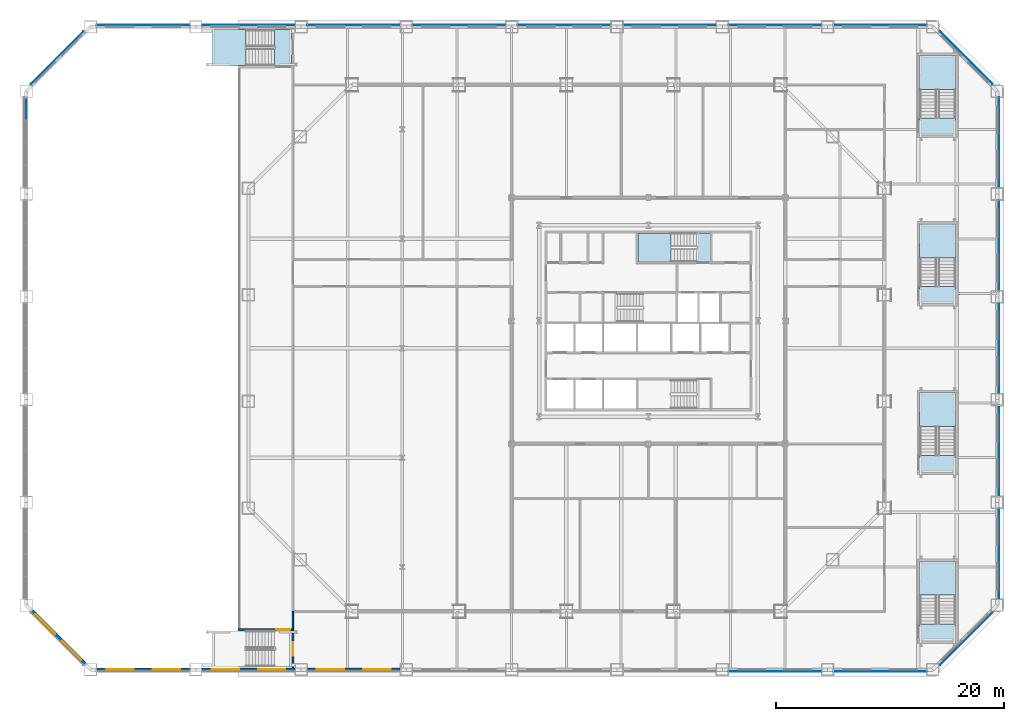
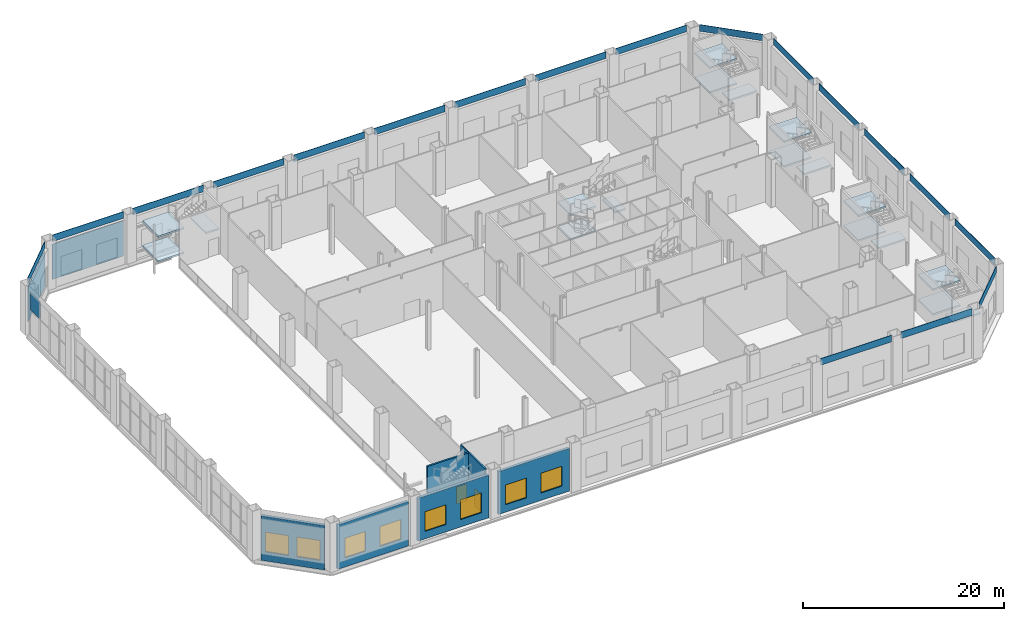
# One storey, part 15 of 31: 21 plates, 18 slabs, 8 windows, 7 walls, 2 doors, 10 openings, 7 elements without a shape of their own.
"""IFC4 building model written with IfcOpenShell, lengths in metres."""

from ifc_helpers import new_model, si_unit, direction, frame, frame_2d, origin, origin_2d, place, context, subcontext, project, spatial, polyline, rectangle, outline, extrude, material, layer, layer_set, type_object, element, fill, aggregate, save


model = new_model("IFC4")

# Units and contexts
model_context = context("Model", 3, precision=1e-05, world=origin(), true_north=direction((0.0, 1.0)))
body_context = subcontext(model_context, "Body", "Model", "MODEL_VIEW")
ifc_project = project(units=[si_unit("LENGTHUNIT", "METRE"), si_unit("AREAUNIT", "SQUARE_METRE"), si_unit("VOLUMEUNIT", "CUBIC_METRE"), si_unit("PLANEANGLEUNIT", "RADIAN"), si_unit("MASSUNIT", "GRAM", prefix="KILO")], contexts=[model_context])

# Site, building, storey
site_placement = place(None, origin())
site = spatial("IfcSite", under=ifc_project, at=site_placement, CompositionType="ELEMENT")
building_placement = place(site_placement, origin())
building = spatial("IfcBuilding", under=site, at=building_placement, Name="Cairn Pilgrim Tower", CompositionType="ELEMENT")
storey_placement = place(building_placement, frame((0.0, 0.0, 15.0)))
storey = spatial("IfcBuildingStorey", under=building, at=storey_placement, Name="L02", CompositionType="ELEMENT", Elevation=15.0)

# Plates
ifc_material_1 = material(Name="Bronze anodised aluminium", Category="aluminium")
ifc_layer_1 = layer(ifc_material_1, 0.050048828125)
ifc_layer_set_1 = layer_set([ifc_layer_1], Name="BRONZE FASCIA PANEL 50")
plate_type_1 = type_object("IfcPlateType", Name="BRONZE FASCIA PANEL 50", PredefinedType="SHEET", material=ifc_layer_set_1)
for number, where, z_axis, x_axis, name in (
    (1, (18.294677734375, -28.375, 5.2001953125), (0.0, 0.0, 1.0), (1.0, 0.0, 0.0), "FASCIA"),
    (2, (27.532470703125, -28.375, 5.2001953125), (0.0, 0.0, 1.0), (1.0, 0.0, 0.0), "FASCIA"),
):
    element("IfcPlate", number, at=place(storey_placement, frame(where, z_axis=z_axis, x_axis=x_axis)), inside=storey, type_object=plate_type_1, Name=name, PredefinedType="SHEET", context=body_context, shape_type="SweptSolid", body=[
        extrude(rectangle(XDim=8.137939453125, YDim=0.050048828125, at=origin_2d()), origin(), (0.0, 0.0, 1.0), 0.800048828125),
    ])
plate_1_placement = place(storey_placement, frame((35.099609375, -25.49951171875, 5.2001953125), z_axis=(0.0, 0.0, 1.0), x_axis=(0.707106781187, 0.707106781187, 0.0)))
element("IfcPlate", 3, at=plate_1_placement, inside=storey, type_object=plate_type_1, Name="FASCIA", PredefinedType="SHEET", context=body_context, shape_type="SweptSolid", body=[
    extrude(rectangle(XDim=6.50830078125, YDim=0.050048828125, at=origin_2d()), origin(), (0.0, 0.0, 1.0), 0.800048828125),
])
for number, where, z_axis, x_axis, name in (
    (4, (37.97509765625, -18.041259765625, 5.2001953125), (0.0, 0.0, 1.0), (0.0, 1.0, 0.0), "FASCIA"),
    (5, (37.97509765625, -9.0205078125, 5.2001953125), (0.0, 0.0, 1.0), (0.0, 1.0, 0.0), "FASCIA"),
    (6, (37.97509765625, 0.0, 5.2001953125), (0.0, 0.0, 1.0), (0.0, 1.0, 0.0), "FASCIA"),
    (7, (37.97509765625, 9.0205078125, 5.2001953125), (0.0, 0.0, 1.0), (0.0, 1.0, 0.0), "FASCIA"),
    (8, (37.97509765625, 18.041259765625, 5.2001953125), (0.0, 0.0, 1.0), (0.0, 1.0, 0.0), "FASCIA"),
):
    element("IfcPlate", number, at=place(storey_placement, frame(where, z_axis=z_axis, x_axis=x_axis)), inside=storey, type_object=plate_type_1, Name=name, PredefinedType="SHEET", context=body_context, shape_type="SweptSolid", body=[
        extrude(rectangle(XDim=7.920654296875, YDim=0.050048828125, at=origin_2d()), origin(), (0.0, 0.0, 1.0), 0.800048828125),
    ])
plate_2_placement = place(storey_placement, frame((35.099609375, 25.49951171875, 5.2001953125), z_axis=(0.0, 0.0, 1.0), x_axis=(-0.707106781187, 0.707106781187, 0.0)))
element("IfcPlate", 9, at=plate_2_placement, inside=storey, type_object=plate_type_1, Name="FASCIA", PredefinedType="SHEET", context=body_context, shape_type="SweptSolid", body=[
    extrude(rectangle(XDim=6.50830078125, YDim=0.050048828125, at=origin_2d()), origin(), (0.0, 0.0, 1.0), 0.800048828125),
])
for number, where, z_axis, x_axis, name in (
    (10, (27.532470703125, 28.375, 5.2001953125), (0.0, 0.0, 1.0), (-1.0, 0.0, 0.0), "FASCIA"),
    (11, (18.294677734375, 28.375, 5.2001953125), (0.0, 0.0, 1.0), (-1.0, 0.0, 0.0), "FASCIA"),
    (12, (9.056884765625, 28.375, 5.2001953125), (0.0, 0.0, 1.0), (-1.0, 0.0, 0.0), "FASCIA"),
    (13, (-0.18115234375, 28.375, 5.2001953125), (0.0, 0.0, 1.0), (-1.0, 0.0, 0.0), "FASCIA"),
    (14, (-9.4189453125, 28.375, 5.2001953125), (0.0, 0.0, 1.0), (-1.0, 0.0, 0.0), "FASCIA"),
    (15, (-18.65673828125, 28.375, 5.2001953125), (0.0, 0.0, 1.0), (-1.0, 0.0, 0.0), "FASCIA"),
    (16, (-27.894775390625, 28.375, 5.2001953125), (0.0, 0.0, 1.0), (-1.0, 0.0, 0.0), "FASCIA"),
    (17, (-37.132568359375, 28.375, 5.2001953125), (0.0, 0.0, 1.0), (-1.0, 0.0, 0.0), "FASCIA"),
):
    element("IfcPlate", number, at=place(storey_placement, frame(where, z_axis=z_axis, x_axis=x_axis)), inside=storey, type_object=plate_type_1, Name=name, PredefinedType="SHEET", context=body_context, shape_type="SweptSolid", body=[
        extrude(rectangle(XDim=8.137939453125, YDim=0.050048828125, at=origin_2d()), origin(), (0.0, 0.0, 1.0), 0.800048828125),
    ])
plate_3_placement = place(storey_placement, frame((-44.699462890625, 25.49951171875, 5.2001953125), z_axis=(0.0, 0.0, 1.0), x_axis=(-0.707106781187, -0.707106781187, 0.0)))
element("IfcPlate", 18, at=plate_3_placement, inside=storey, type_object=plate_type_1, Name="FASCIA", PredefinedType="SHEET", context=body_context, shape_type="SweptSolid", body=[
    extrude(rectangle(XDim=6.50830078125, YDim=0.050048828125, at=origin_2d()), origin(), (0.0, 0.0, 1.0), 0.800048828125),
])
ifc_material_2 = material(Name="Perforated bronze anodised aluminium", Category="aluminium")
ifc_layer_2 = layer(ifc_material_2, 0.050048828125)
ifc_layer_set_2 = layer_set([ifc_layer_2], Name="COBOGO SCREEN 50 BRONZE")
plate_type_2 = type_object("IfcPlateType", Name="COBOGO SCREEN 50 BRONZE", PredefinedType="SHEET", material=ifc_layer_set_2)
plate_4_placement = place(storey_placement, frame((-37.132568359375, 28.375, 0.60009765625), z_axis=(0.0, 0.0, 1.0), x_axis=(-1.0, 0.0, 0.0)))
element("IfcPlate", 19, at=plate_4_placement, inside=storey, type_object=plate_type_2, Name="SCREEN", PredefinedType="SHEET", context=body_context, shape_type="SweptSolid", body=[
    extrude(rectangle(XDim=8.137939453125, YDim=0.050048828125, at=origin_2d()), origin(), (0.0, 0.0, 1.0), 4.300048828125),
])
plate_5_placement = place(storey_placement, frame((-44.699462890625, 25.49951171875, 0.60009765625), z_axis=(0.0, 0.0, 1.0), x_axis=(-0.707106781187, -0.707106781187, 0.0)))
element("IfcPlate", 20, at=plate_5_placement, inside=storey, type_object=plate_type_2, Name="SCREEN", PredefinedType="SHEET", context=body_context, shape_type="SweptSolid", body=[
    extrude(rectangle(XDim=6.50830078125, YDim=0.050048828125, at=origin_2d()), origin(), (0.0, 0.0, 1.0), 4.300048828125),
])

# Curtain wall, plate
ifc_material_3 = material(Name="Bronze anodised aluminium with Tinted laminated low-E glass", Category="aluminium")
curtain_wall_type = type_object("IfcCurtainWallType", Name="HALL CW", PredefinedType="NOTDEFINED", material=ifc_material_3)
curtain_wall_placement = place(storey_placement, origin())
curtain_wall = element("IfcCurtainWall", 21, at=curtain_wall_placement, inside=storey, type_object=curtain_wall_type, Name="HALL CW L02 W1-W2", PredefinedType="NOTDEFINED")
ifc_material_4 = material(Name="Tinted laminated low-E glass", Category="glass")
ifc_layer_3 = layer(ifc_material_4, 0.028076171875)
ifc_layer_set_3 = layer_set([ifc_layer_3], Name="HALL GLASS PANEL 1920x2020")
plate_type_3 = type_object("IfcPlateType", Name="HALL GLASS PANEL 1920x2020", PredefinedType="CURTAIN_PANEL", material=ifc_layer_set_3)
plate_6_placement = place(storey_placement, frame((-47.39990234375, 20.996337890625, 3.02978515625), z_axis=(0.0, 0.0, 1.0), x_axis=(0.0, -1.0, 0.0)))
plate_6 = element("IfcPlate", 22, at=plate_6_placement, type_object=plate_type_3, Name="HCW-W1-W2 panel 1.2", PredefinedType="CURTAIN_PANEL", context=body_context, shape_type="SweptSolid", body=[
    extrude(rectangle(XDim=1.89013671875, YDim=0.028076171875, at=origin_2d()), origin(), (0.0, 0.0, 1.0), 2.110107421875),
])
aggregate(curtain_wall, [plate_6])

# Stair, slabs
ifc_material_5 = material(Name="Concrete C35/45", Category="concrete")
stair_type_1 = type_object("IfcStairType", Name="PODIUM EXIT STAIR 1500", PredefinedType="HALF_TURN_STAIR", material=ifc_material_5)
stair_1_placement = place(storey_placement, origin())
stair_1 = element("IfcStair", 23, at=stair_1_placement, inside=storey, type_object=stair_type_1, Name="L02 Exit Stair Hn", PredefinedType="HALF_TURN_STAIR")
ifc_layer_4 = layer(ifc_material_5, 0.199951171875)
ifc_layer_set_4 = layer_set([ifc_layer_4], Name="PODIUM STAIR LANDING 200")
slab_type_1 = type_object("IfcSlabType", Name="PODIUM STAIR LANDING 200", PredefinedType="LANDING", material=ifc_layer_set_4)
slab_1_placement = place(storey_placement, frame((0.0, 0.0, 1.300048828125)))
slab_1 = element("IfcSlab", 24, at=slab_1_placement, type_object=slab_type_1, Name="ST-HN landing 1", PredefinedType="LANDING", context=body_context, shape_type="SweptSolid", body=[
    extrude(outline(polyline([(-28.1201171875, 27.949951171875), (-31.10009765625, 27.949951171875), (-31.10009765625, 24.800048828125), (-28.1201171875, 24.800048828125), (-28.1201171875, 27.949951171875)])), origin(), (0.0, 0.0, 1.0), 0.199951171875),
])
slab_2_placement = place(storey_placement, frame((0.0, 0.0, 2.800048828125)))
slab_2 = element("IfcSlab", 25, at=slab_2_placement, type_object=slab_type_1, Name="ST-HN landing 2", PredefinedType="LANDING", context=body_context, shape_type="SweptSolid", body=[
    extrude(outline(polyline([(-24.10009765625, 27.949951171875), (-25.60009765625, 27.949951171875), (-25.60009765625, 24.800048828125), (-24.10009765625, 24.800048828125), (-24.10009765625, 27.949951171875)])), origin(), (0.0, 0.0, 1.0), 0.199951171875),
])
slab_3_placement = place(storey_placement, frame((0.0, 0.0, 4.300048828125)))
slab_3 = element("IfcSlab", 26, at=slab_3_placement, type_object=slab_type_1, Name="ST-HN landing 3", PredefinedType="LANDING", context=body_context, shape_type="SweptSolid", body=[
    extrude(outline(polyline([(-28.1201171875, 27.949951171875), (-31.10009765625, 27.949951171875), (-31.10009765625, 24.800048828125), (-28.1201171875, 24.800048828125), (-28.1201171875, 27.949951171875)])), origin(), (0.0, 0.0, 1.0), 0.199951171875),
])
aggregate(stair_1, [slab_1, slab_2, slab_3])

stair_2_placement = place(storey_placement, origin())
stair_2 = element("IfcStair", 27, at=stair_2_placement, inside=storey, type_object=stair_type_1, Name="L02 Exit Stair Es1", PredefinedType="HALF_TURN_STAIR")
slab_4_placement = place(storey_placement, frame((0.0, 0.0, 1.300048828125)))
slab_4 = element("IfcSlab", 28, at=slab_4_placement, type_object=slab_type_1, Name="ST-ES1 landing 1", PredefinedType="LANDING", context=body_context, shape_type="SweptSolid", body=[
    extrude(outline(polyline([(34.14990234375, -21.679931640625), (34.14990234375, -18.699951171875), (31.0, -18.699951171875), (31.0, -21.679931640625), (34.14990234375, -21.679931640625)])), origin(), (0.0, 0.0, 1.0), 0.199951171875),
])
slab_5_placement = place(storey_placement, frame((0.0, 0.0, 2.800048828125)))
slab_5 = element("IfcSlab", 29, at=slab_5_placement, type_object=slab_type_1, Name="ST-ES1 landing 2", PredefinedType="LANDING", context=body_context, shape_type="SweptSolid", body=[
    extrude(outline(polyline([(34.14990234375, -25.699951171875), (34.14990234375, -24.199951171875), (31.0, -24.199951171875), (31.0, -25.699951171875), (34.14990234375, -25.699951171875)])), origin(), (0.0, 0.0, 1.0), 0.199951171875),
])
slab_6_placement = place(storey_placement, frame((0.0, 0.0, 4.300048828125)))
slab_6 = element("IfcSlab", 30, at=slab_6_placement, type_object=slab_type_1, Name="ST-ES1 landing 3", PredefinedType="LANDING", context=body_context, shape_type="SweptSolid", body=[
    extrude(outline(polyline([(34.14990234375, -21.679931640625), (34.14990234375, -18.699951171875), (31.0, -18.699951171875), (31.0, -21.679931640625), (34.14990234375, -21.679931640625)])), origin(), (0.0, 0.0, 1.0), 0.199951171875),
])
aggregate(stair_2, [slab_4, slab_5, slab_6])

stair_3_placement = place(storey_placement, origin())
stair_3 = element("IfcStair", 31, at=stair_3_placement, inside=storey, type_object=stair_type_1, Name="L02 Exit Stair Es2", PredefinedType="HALF_TURN_STAIR")
slab_7_placement = place(storey_placement, frame((0.0, 0.0, 1.300048828125)))
slab_7 = element("IfcSlab", 32, at=slab_7_placement, type_object=slab_type_1, Name="ST-ES2 landing 1", PredefinedType="LANDING", context=body_context, shape_type="SweptSolid", body=[
    extrude(outline(polyline([(34.14990234375, -6.8798828125), (34.14990234375, -3.89990234375), (31.0, -3.89990234375), (31.0, -6.8798828125), (34.14990234375, -6.8798828125)])), origin(), (0.0, 0.0, 1.0), 0.199951171875),
])
slab_8_placement = place(storey_placement, frame((0.0, 0.0, 2.800048828125)))
slab_8 = element("IfcSlab", 33, at=slab_8_placement, type_object=slab_type_1, Name="ST-ES2 landing 2", PredefinedType="LANDING", context=body_context, shape_type="SweptSolid", body=[
    extrude(outline(polyline([(34.14990234375, -10.89990234375), (34.14990234375, -9.39990234375), (31.0, -9.39990234375), (31.0, -10.89990234375), (34.14990234375, -10.89990234375)])), origin(), (0.0, 0.0, 1.0), 0.199951171875),
])
slab_9_placement = place(storey_placement, frame((0.0, 0.0, 4.300048828125)))
slab_9 = element("IfcSlab", 34, at=slab_9_placement, type_object=slab_type_1, Name="ST-ES2 landing 3", PredefinedType="LANDING", context=body_context, shape_type="SweptSolid", body=[
    extrude(outline(polyline([(34.14990234375, -6.8798828125), (34.14990234375, -3.89990234375), (31.0, -3.89990234375), (31.0, -6.8798828125), (34.14990234375, -6.8798828125)])), origin(), (0.0, 0.0, 1.0), 0.199951171875),
])
aggregate(stair_3, [slab_7, slab_8, slab_9])

stair_4_placement = place(storey_placement, origin())
stair_4 = element("IfcStair", 35, at=stair_4_placement, inside=storey, type_object=stair_type_1, Name="L02 Exit Stair Es3", PredefinedType="HALF_TURN_STAIR")
slab_10_placement = place(storey_placement, frame((0.0, 0.0, 1.300048828125)))
slab_10 = element("IfcSlab", 36, at=slab_10_placement, type_object=slab_type_1, Name="ST-ES3 landing 1", PredefinedType="LANDING", context=body_context, shape_type="SweptSolid", body=[
    extrude(outline(polyline([(34.14990234375, 7.919921875), (34.14990234375, 10.89990234375), (31.0, 10.89990234375), (31.0, 7.919921875), (34.14990234375, 7.919921875)])), origin(), (0.0, 0.0, 1.0), 0.199951171875),
])
slab_11_placement = place(storey_placement, frame((0.0, 0.0, 2.800048828125)))
slab_11 = element("IfcSlab", 37, at=slab_11_placement, type_object=slab_type_1, Name="ST-ES3 landing 2", PredefinedType="LANDING", context=body_context, shape_type="SweptSolid", body=[
    extrude(outline(polyline([(34.14990234375, 3.89990234375), (34.14990234375, 5.39990234375), (31.0, 5.39990234375), (31.0, 3.89990234375), (34.14990234375, 3.89990234375)])), origin(), (0.0, 0.0, 1.0), 0.199951171875),
])
slab_12_placement = place(storey_placement, frame((0.0, 0.0, 4.300048828125)))
slab_12 = element("IfcSlab", 38, at=slab_12_placement, type_object=slab_type_1, Name="ST-ES3 landing 3", PredefinedType="LANDING", context=body_context, shape_type="SweptSolid", body=[
    extrude(outline(polyline([(34.14990234375, 7.919921875), (34.14990234375, 10.89990234375), (31.0, 10.89990234375), (31.0, 7.919921875), (34.14990234375, 7.919921875)])), origin(), (0.0, 0.0, 1.0), 0.199951171875),
])
aggregate(stair_4, [slab_10, slab_11, slab_12])

stair_5_placement = place(storey_placement, origin())
stair_5 = element("IfcStair", 39, at=stair_5_placement, inside=storey, type_object=stair_type_1, Name="L02 Exit Stair Es4", PredefinedType="HALF_TURN_STAIR")
slab_13_placement = place(storey_placement, frame((0.0, 0.0, 1.300048828125)))
slab_13 = element("IfcSlab", 40, at=slab_13_placement, type_object=slab_type_1, Name="ST-ES4 landing 1", PredefinedType="LANDING", context=body_context, shape_type="SweptSolid", body=[
    extrude(outline(polyline([(34.14990234375, 22.719970703125), (34.14990234375, 25.699951171875), (31.0, 25.699951171875), (31.0, 22.719970703125), (34.14990234375, 22.719970703125)])), origin(), (0.0, 0.0, 1.0), 0.199951171875),
])
slab_14_placement = place(storey_placement, frame((0.0, 0.0, 2.800048828125)))
slab_14 = element("IfcSlab", 41, at=slab_14_placement, type_object=slab_type_1, Name="ST-ES4 landing 2", PredefinedType="LANDING", context=body_context, shape_type="SweptSolid", body=[
    extrude(outline(polyline([(34.14990234375, 18.699951171875), (34.14990234375, 20.199951171875), (31.0, 20.199951171875), (31.0, 18.699951171875), (34.14990234375, 18.699951171875)])), origin(), (0.0, 0.0, 1.0), 0.199951171875),
])
slab_15_placement = place(storey_placement, frame((0.0, 0.0, 4.300048828125)))
slab_15 = element("IfcSlab", 42, at=slab_15_placement, type_object=slab_type_1, Name="ST-ES4 landing 3", PredefinedType="LANDING", context=body_context, shape_type="SweptSolid", body=[
    extrude(outline(polyline([(34.14990234375, 22.719970703125), (34.14990234375, 25.699951171875), (31.0, 25.699951171875), (31.0, 22.719970703125), (34.14990234375, 22.719970703125)])), origin(), (0.0, 0.0, 1.0), 0.199951171875),
])
aggregate(stair_5, [slab_13, slab_14, slab_15])

ifc_material_6 = material(Name="Concrete C32/40", Category="concrete")
stair_type_2 = type_object("IfcStairType", Name="EXIT STAIR 1200", PredefinedType="HALF_TURN_STAIR", material=ifc_material_6)
stair_6_placement = place(storey_placement, origin())
stair_6 = element("IfcStair", 43, at=stair_6_placement, inside=storey, type_object=stair_type_2, Name="L02 Exit Stair C", PredefinedType="HALF_TURN_STAIR")
ifc_layer_5 = layer(ifc_material_6, 0.199951171875)
ifc_layer_set_5 = layer_set([ifc_layer_5], Name="STAIR LANDING 200")
slab_type_2 = type_object("IfcSlabType", Name="STAIR LANDING 200", PredefinedType="LANDING", material=ifc_layer_set_5)
slab_16_placement = place(storey_placement, frame((0.0, 0.0, 1.300048828125)))
slab_16 = element("IfcSlab", 44, at=slab_16_placement, type_object=slab_type_2, Name="ST-C landing 1", PredefinedType="LANDING", context=body_context, shape_type="SweptSolid", body=[
    extrude(outline(polyline([(9.18505859375, 10.10009765625), (6.27490234375, 10.10009765625), (6.27490234375, 7.574951171875), (9.18505859375, 7.574951171875), (9.18505859375, 10.10009765625)])), origin(), (0.0, 0.0, 1.0), 0.199951171875),
])
slab_17_placement = place(storey_placement, frame((0.0, 0.0, 2.800048828125)))
slab_17 = element("IfcSlab", 45, at=slab_17_placement, type_object=slab_type_2, Name="ST-C landing 2", PredefinedType="LANDING", context=body_context, shape_type="SweptSolid", body=[
    extrude(outline(polyline([(12.625, 10.10009765625), (11.425048828125, 10.10009765625), (11.425048828125, 7.574951171875), (12.625, 7.574951171875), (12.625, 10.10009765625)])), origin(), (0.0, 0.0, 1.0), 0.199951171875),
])
slab_18_placement = place(storey_placement, frame((0.0, 0.0, 4.300048828125)))
slab_18 = element("IfcSlab", 46, at=slab_18_placement, type_object=slab_type_2, Name="ST-C landing 3", PredefinedType="LANDING", context=body_context, shape_type="SweptSolid", body=[
    extrude(outline(polyline([(9.18505859375, 10.10009765625), (6.27490234375, 10.10009765625), (6.27490234375, 7.574951171875), (9.18505859375, 7.574951171875), (9.18505859375, 10.10009765625)])), origin(), (0.0, 0.0, 1.0), 0.199951171875),
])
aggregate(stair_6, [slab_16, slab_17, slab_18])

# Wall
ifc_material_7 = material(Name="Gypsum partition")
ifc_layer_6 = layer(ifc_material_7, 0.125)
ifc_layer_set_6 = layer_set([ifc_layer_6], Name="PARTITION 125 DRYWALL EI 60")
wall_type_1 = type_object("IfcWallType", Name="PARTITION 125 DRYWALL EI 60", PredefinedType="PARTITIONING", material=ifc_layer_set_6)
wall_1_placement = place(storey_placement, frame((-24.0, -24.699951171875, 0.0), z_axis=(0.0, 0.0, 1.0), x_axis=(0.0, 1.0, 0.0)))
element("IfcWall", 47, at=wall_1_placement, inside=storey, type_object=wall_type_1, Name="PARTITION W006", PredefinedType="PARTITIONING", context=body_context, shape_type="SweptSolid", body=[
    extrude(rectangle(XDim=1.599853515625, YDim=0.125, at=frame_2d((0.7998046875, 0.0))), origin(), (0.0, 0.0, 1.0), 5.800048828125),
])

# Wall, opening, door
ifc_layer_7 = layer(ifc_material_5, 0.199951171875)
ifc_layer_set_7 = layer_set([ifc_layer_7], Name="PODIUM STAIR WALL 200 EI 120")
wall_type_2 = type_object("IfcWallType", Name="PODIUM STAIR WALL 200 EI 120", PredefinedType="SOLIDWALL", material=ifc_layer_set_7)
wall_2_placement = place(storey_placement, frame((-24.0, -28.050048828125, 0.0), z_axis=(0.0, 0.0, 1.0), x_axis=(0.0, 1.0, 0.0)))
wall_2 = element("IfcWall", 48, at=wall_2_placement, inside=storey, type_object=wall_type_2, Name="STAIR SHAFT WALL W001", PredefinedType="SOLIDWALL", context=body_context, shape_type="SweptSolid", body=[
    extrude(rectangle(XDim=3.35009765625, YDim=0.199951171875, at=frame_2d((1.675048828125, 0.0))), origin(), (0.0, 0.0, 1.0), 5.800048828125),
])
opening_1_placement = place(wall_2_placement, frame((1.050048828125, 0.0, 0.0)))
opening_1 = element("IfcOpeningElement", 49, at=opening_1_placement, cuts=wall_2, Name="Opening 0224", PredefinedType="OPENING", context=body_context, shape_type="SweptSolid", body=[
    extrude(rectangle(XDim=1.199951171875, YDim=2.10009765625, at=frame_2d((0.60009765625, 1.050048828125))), frame((0.0, 0.10986328125, 0.0), z_axis=(0.0, -1.0, 0.0), x_axis=(1.0, 0.0, 0.0)), (0.0, 0.0, 1.0), 0.219970703125),
])
ifc_material_8 = material(Name="Steel-faced fire door leaf", Category="steel")
door_type = type_object("IfcDoorType", Name="FIRE DOOR 1200x2100 FD60S", OperationType="NOTDEFINED", PredefinedType="DOOR", material=ifc_material_8)
door_1_placement = place(opening_1_placement, origin())
door_1 = element("IfcDoor", 50, at=door_1_placement, inside=storey, type_object=door_type, Name="DOOR 0224", OperationType="SINGLE_SWING_LEFT", OverallHeight=2.10009765625, OverallWidth=1.199951171875, PredefinedType="DOOR", context=body_context, shape_type="SweptSolid", body=[
    extrude(rectangle(XDim=1.199951171875, YDim=2.10009765625, at=frame_2d((0.60009765625, 1.050048828125))), frame((0.0, 0.02490234375, 0.0), z_axis=(0.0, -1.0, 0.0), x_axis=(1.0, 0.0, 0.0)), (0.0, 0.0, 1.0), 0.050048828125),
])
fill(opening_1, door_1)

wall_3_placement = place(storey_placement, frame((-28.800048828125, -24.699951171875, 0.0), z_axis=(0.0, 0.0, 1.0), x_axis=(1.0, 0.0, 0.0)))
wall_3 = element("IfcWall", 51, at=wall_3_placement, inside=storey, type_object=wall_type_2, Name="STAIR SHAFT WALL W005", PredefinedType="SOLIDWALL", context=body_context, shape_type="SweptSolid", body=[
    extrude(rectangle(XDim=4.737548828125, YDim=0.199951171875, at=frame_2d((2.36865234375, 0.0))), origin(), (0.0, 0.0, 1.0), 5.800048828125),
])
opening_2_placement = place(wall_3_placement, frame((3.35009765625, 0.0, 0.0)))
opening_2 = element("IfcOpeningElement", 52, at=opening_2_placement, cuts=wall_3, Name="Opening 0223", PredefinedType="OPENING", context=body_context, shape_type="SweptSolid", body=[
    extrude(rectangle(XDim=1.199951171875, YDim=2.10009765625, at=frame_2d((0.60009765625, 1.050048828125))), frame((0.0, 0.10986328125, 0.0), z_axis=(0.0, -1.0, 0.0), x_axis=(1.0, 0.0, 0.0)), (0.0, 0.0, 1.0), 0.219970703125),
])
door_2_placement = place(opening_2_placement, frame((1.199951171875, 0.0, 0.0), z_axis=(0.0, 0.0, 1.0), x_axis=(-1.0, 0.0, 0.0)))
door_2 = element("IfcDoor", 53, at=door_2_placement, inside=storey, type_object=door_type, Name="DOOR 0223", OperationType="SINGLE_SWING_RIGHT", OverallHeight=2.10009765625, OverallWidth=1.199951171875, PredefinedType="DOOR", context=body_context, shape_type="SweptSolid", body=[
    extrude(rectangle(XDim=1.199951171875, YDim=2.10009765625, at=frame_2d((0.60009765625, 1.050048828125))), frame((0.0, 0.02490234375, 0.0), z_axis=(0.0, -1.0, 0.0), x_axis=(1.0, 0.0, 0.0)), (0.0, 0.0, 1.0), 0.050048828125),
])
fill(opening_2, door_2)

# Wall, openings, windows
ifc_material_9 = material(Name="Concrete C35/45 backup wall with bronze aluminium cladding", Category="concrete")
ifc_layer_8 = layer(ifc_material_9, 0.300048828125)
ifc_layer_set_8 = layer_set([ifc_layer_8], Name="PODIUM WALL 300 BRONZE-CLAD")
wall_type_3 = type_object("IfcWallType", Name="PODIUM WALL 300 BRONZE-CLAD", PredefinedType="SOLIDWALL", material=ifc_layer_set_8)
wall_4_placement = place(storey_placement, frame((-41.201416015625, -28.199951171875, -0.199951171875), z_axis=(0.0, 0.0, 1.0), x_axis=(1.0, 0.0, 0.0)))
wall_4 = element("IfcWall", 54, at=wall_4_placement, inside=storey, type_object=wall_type_3, Name="PODIUM EXTERNAL WALL S1-S2", PredefinedType="SOLIDWALL", context=body_context, shape_type="SweptSolid", body=[
    extrude(rectangle(XDim=8.1376953125, YDim=0.300048828125, at=frame_2d((4.06884765625, 0.0))), origin(), (0.0, 0.0, 1.0), 5.39990234375),
])
opening_3_placement = place(wall_4_placement, frame((0.83447265625, 0.0, 1.10009765625)))
opening_3 = element("IfcOpeningElement", 55, at=opening_3_placement, cuts=wall_4, Name="Opening PW24", PredefinedType="OPENING", context=body_context, shape_type="SweptSolid", body=[
    extrude(rectangle(XDim=2.39990234375, YDim=2.39990234375, at=frame_2d((1.199951171875, 1.199951171875))), frame((0.0, 0.16015625, 0.0), z_axis=(0.0, -1.0, 0.0), x_axis=(1.0, 0.0, 0.0)), (0.0, 0.0, 1.0), 0.320068359375),
])
opening_4_placement = place(wall_4_placement, frame((4.9033203125, 0.0, 1.10009765625)))
opening_4 = element("IfcOpeningElement", 56, at=opening_4_placement, cuts=wall_4, Name="Opening PW24", PredefinedType="OPENING", context=body_context, shape_type="SweptSolid", body=[
    extrude(rectangle(XDim=2.39990234375, YDim=2.39990234375, at=frame_2d((1.199951171875, 1.199951171875))), frame((0.0, 0.16015625, 0.0), z_axis=(0.0, -1.0, 0.0), x_axis=(1.0, 0.0, 0.0)), (0.0, 0.0, 1.0), 0.320068359375),
])
ifc_material_10 = material(Name="Bronze anodised aluminium frame with tinted low-E glass", Category="aluminium")
window_type = type_object("IfcWindowType", Name="PODIUM FIXED WINDOW 2400x2400", PartitioningType="SINGLE_PANEL", PredefinedType="WINDOW", material=ifc_material_10)
window_1_placement = place(opening_3_placement, origin())
window_1 = element("IfcWindow", 57, at=window_1_placement, inside=storey, type_object=window_type, Name="PODIUM WINDOW", OverallHeight=2.39990234375, OverallWidth=2.39990234375, PartitioningType="SINGLE_PANEL", PredefinedType="WINDOW", context=body_context, shape_type="SweptSolid", body=[
    extrude(rectangle(XDim=2.39990234375, YDim=2.39990234375, at=frame_2d((1.199951171875, 1.199951171875))), frame((0.0, 0.030029296875, 0.0), z_axis=(0.0, -1.0, 0.0), x_axis=(1.0, 0.0, 0.0)), (0.0, 0.0, 1.0), 0.06005859375),
])
fill(opening_3, window_1)
window_2_placement = place(opening_4_placement, origin())
window_2 = element("IfcWindow", 58, at=window_2_placement, inside=storey, type_object=window_type, Name="PODIUM WINDOW", OverallHeight=2.39990234375, OverallWidth=2.39990234375, PartitioningType="SINGLE_PANEL", PredefinedType="WINDOW", context=body_context, shape_type="SweptSolid", body=[
    extrude(rectangle(XDim=2.39990234375, YDim=2.39990234375, at=frame_2d((1.199951171875, 1.199951171875))), frame((0.0, 0.030029296875, 0.0), z_axis=(0.0, -1.0, 0.0), x_axis=(1.0, 0.0, 0.0)), (0.0, 0.0, 1.0), 0.06005859375),
])
fill(opening_4, window_2)

wall_5_placement = place(storey_placement, frame((-31.963623046875, -28.199951171875, 0.0), z_axis=(0.0, 0.0, 1.0), x_axis=(1.0, 0.0, 0.0)))
wall_5 = element("IfcWall", 59, at=wall_5_placement, inside=storey, type_object=wall_type_3, Name="PODIUM EXTERNAL WALL S2-S3", PredefinedType="SOLIDWALL", context=body_context, shape_type="SweptSolid", body=[
    extrude(rectangle(XDim=8.137939453125, YDim=0.300048828125, at=frame_2d((4.06884765625, 0.0))), origin(), (0.0, 0.0, 1.0), 5.199951171875),
])
opening_5_placement = place(wall_5_placement, frame((0.83447265625, 0.0, 0.89990234375)))
opening_5 = element("IfcOpeningElement", 60, at=opening_5_placement, cuts=wall_5, Name="Opening PW24", PredefinedType="OPENING", context=body_context, shape_type="SweptSolid", body=[
    extrude(rectangle(XDim=2.39990234375, YDim=2.39990234375, at=frame_2d((1.199951171875, 1.199951171875))), frame((0.0, 0.16015625, 0.0), z_axis=(0.0, -1.0, 0.0), x_axis=(1.0, 0.0, 0.0)), (0.0, 0.0, 1.0), 0.320068359375),
])
opening_6_placement = place(wall_5_placement, frame((4.9033203125, 0.0, 0.89990234375)))
opening_6 = element("IfcOpeningElement", 61, at=opening_6_placement, cuts=wall_5, Name="Opening PW24", PredefinedType="OPENING", context=body_context, shape_type="SweptSolid", body=[
    extrude(rectangle(XDim=2.39990234375, YDim=2.39990234375, at=frame_2d((1.199951171875, 1.199951171875))), frame((0.0, 0.16015625, 0.0), z_axis=(0.0, -1.0, 0.0), x_axis=(1.0, 0.0, 0.0)), (0.0, 0.0, 1.0), 0.320068359375),
])
window_3_placement = place(opening_5_placement, origin())
window_3 = element("IfcWindow", 62, at=window_3_placement, inside=storey, type_object=window_type, Name="PODIUM WINDOW", OverallHeight=2.39990234375, OverallWidth=2.39990234375, PartitioningType="SINGLE_PANEL", PredefinedType="WINDOW", context=body_context, shape_type="SweptSolid", body=[
    extrude(rectangle(XDim=2.39990234375, YDim=2.39990234375, at=frame_2d((1.199951171875, 1.199951171875))), frame((0.0, 0.030029296875, 0.0), z_axis=(0.0, -1.0, 0.0), x_axis=(1.0, 0.0, 0.0)), (0.0, 0.0, 1.0), 0.06005859375),
])
fill(opening_5, window_3)
window_4_placement = place(opening_6_placement, origin())
window_4 = element("IfcWindow", 63, at=window_4_placement, inside=storey, type_object=window_type, Name="PODIUM WINDOW", OverallHeight=2.39990234375, OverallWidth=2.39990234375, PartitioningType="SINGLE_PANEL", PredefinedType="WINDOW", context=body_context, shape_type="SweptSolid", body=[
    extrude(rectangle(XDim=2.39990234375, YDim=2.39990234375, at=frame_2d((1.199951171875, 1.199951171875))), frame((0.0, 0.030029296875, 0.0), z_axis=(0.0, -1.0, 0.0), x_axis=(1.0, 0.0, 0.0)), (0.0, 0.0, 1.0), 0.06005859375),
])
fill(opening_6, window_4)

wall_6_placement = place(storey_placement, frame((-22.7255859375, -28.199951171875, 0.0), z_axis=(0.0, 0.0, 1.0), x_axis=(1.0, 0.0, 0.0)))
wall_6 = element("IfcWall", 64, at=wall_6_placement, inside=storey, type_object=wall_type_3, Name="PODIUM EXTERNAL WALL S3-S4", PredefinedType="SOLIDWALL", context=body_context, shape_type="SweptSolid", body=[
    extrude(rectangle(XDim=8.1376953125, YDim=0.300048828125, at=frame_2d((4.06884765625, 0.0))), origin(), (0.0, 0.0, 1.0), 5.199951171875),
])
opening_7_placement = place(wall_6_placement, frame((0.83447265625, 0.0, 0.89990234375)))
opening_7 = element("IfcOpeningElement", 65, at=opening_7_placement, cuts=wall_6, Name="Opening PW24", PredefinedType="OPENING", context=body_context, shape_type="SweptSolid", body=[
    extrude(rectangle(XDim=2.39990234375, YDim=2.39990234375, at=frame_2d((1.199951171875, 1.199951171875))), frame((0.0, 0.16015625, 0.0), z_axis=(0.0, -1.0, 0.0), x_axis=(1.0, 0.0, 0.0)), (0.0, 0.0, 1.0), 0.320068359375),
])
opening_8_placement = place(wall_6_placement, frame((4.9033203125, 0.0, 0.89990234375)))
opening_8 = element("IfcOpeningElement", 66, at=opening_8_placement, cuts=wall_6, Name="Opening PW24", PredefinedType="OPENING", context=body_context, shape_type="SweptSolid", body=[
    extrude(rectangle(XDim=2.39990234375, YDim=2.39990234375, at=frame_2d((1.199951171875, 1.199951171875))), frame((0.0, 0.16015625, 0.0), z_axis=(0.0, -1.0, 0.0), x_axis=(1.0, 0.0, 0.0)), (0.0, 0.0, 1.0), 0.320068359375),
])
window_5_placement = place(opening_7_placement, origin())
window_5 = element("IfcWindow", 67, at=window_5_placement, inside=storey, type_object=window_type, Name="PODIUM WINDOW", OverallHeight=2.39990234375, OverallWidth=2.39990234375, PartitioningType="SINGLE_PANEL", PredefinedType="WINDOW", context=body_context, shape_type="SweptSolid", body=[
    extrude(rectangle(XDim=2.39990234375, YDim=2.39990234375, at=frame_2d((1.199951171875, 1.199951171875))), frame((0.0, 0.030029296875, 0.0), z_axis=(0.0, -1.0, 0.0), x_axis=(1.0, 0.0, 0.0)), (0.0, 0.0, 1.0), 0.06005859375),
])
fill(opening_7, window_5)
window_6_placement = place(opening_8_placement, origin())
window_6 = element("IfcWindow", 68, at=window_6_placement, inside=storey, type_object=window_type, Name="PODIUM WINDOW", OverallHeight=2.39990234375, OverallWidth=2.39990234375, PartitioningType="SINGLE_PANEL", PredefinedType="WINDOW", context=body_context, shape_type="SweptSolid", body=[
    extrude(rectangle(XDim=2.39990234375, YDim=2.39990234375, at=frame_2d((1.199951171875, 1.199951171875))), frame((0.0, 0.030029296875, 0.0), z_axis=(0.0, -1.0, 0.0), x_axis=(1.0, 0.0, 0.0)), (0.0, 0.0, 1.0), 0.06005859375),
])
fill(opening_8, window_6)

wall_7_placement = place(storey_placement, frame((-46.876708984375, -23.07470703125, -0.199951171875), z_axis=(0.0, 0.0, 1.0), x_axis=(0.707106781187, -0.707106781187, 0.0)))
wall_7 = element("IfcWall", 69, at=wall_7_placement, inside=storey, type_object=wall_type_3, Name="PODIUM EXTERNAL WALL SW1-S1", PredefinedType="SOLIDWALL", context=body_context, shape_type="SweptSolid", body=[
    extrude(rectangle(XDim=6.50830078125, YDim=0.300048828125, at=frame_2d((3.254150390625, 0.0))), origin(), (0.0, 0.0, 1.0), 5.39990234375),
])
opening_9_placement = place(wall_7_placement, frame((0.427001953125, 0.0, 1.10009765625)))
opening_9 = element("IfcOpeningElement", 70, at=opening_9_placement, cuts=wall_7, Name="Opening PW24", PredefinedType="OPENING", context=body_context, shape_type="SweptSolid", body=[
    extrude(rectangle(XDim=2.39990234375, YDim=2.39990234375, at=frame_2d((1.199951171875, 1.199951171875))), frame((0.0, 0.16015625, 0.0), z_axis=(0.0, -1.0, 0.0), x_axis=(1.0, 0.0, 0.0)), (0.0, 0.0, 1.0), 0.320068359375),
])
opening_10_placement = place(wall_7_placement, frame((3.68115234375, 0.0, 1.10009765625)))
opening_10 = element("IfcOpeningElement", 71, at=opening_10_placement, cuts=wall_7, Name="Opening PW24", PredefinedType="OPENING", context=body_context, shape_type="SweptSolid", body=[
    extrude(rectangle(XDim=2.39990234375, YDim=2.39990234375, at=frame_2d((1.199951171875, 1.199951171875))), frame((0.0, 0.16015625, 0.0), z_axis=(0.0, -1.0, 0.0), x_axis=(1.0, 0.0, 0.0)), (0.0, 0.0, 1.0), 0.320068359375),
])
window_7_placement = place(opening_9_placement, origin())
window_7 = element("IfcWindow", 72, at=window_7_placement, inside=storey, type_object=window_type, Name="PODIUM WINDOW", OverallHeight=2.39990234375, OverallWidth=2.39990234375, PartitioningType="SINGLE_PANEL", PredefinedType="WINDOW", context=body_context, shape_type="SweptSolid", body=[
    extrude(rectangle(XDim=2.39990234375, YDim=2.39990234375, at=frame_2d((1.199951171875, 1.199951171875))), frame((0.0, 0.030029296875, 0.0), z_axis=(0.0, -1.0, 0.0), x_axis=(1.0, 0.0, 0.0)), (0.0, 0.0, 1.0), 0.06005859375),
])
fill(opening_9, window_7)
window_8_placement = place(opening_10_placement, origin())
window_8 = element("IfcWindow", 73, at=window_8_placement, inside=storey, type_object=window_type, Name="PODIUM WINDOW", OverallHeight=2.39990234375, OverallWidth=2.39990234375, PartitioningType="SINGLE_PANEL", PredefinedType="WINDOW", context=body_context, shape_type="SweptSolid", body=[
    extrude(rectangle(XDim=2.39990234375, YDim=2.39990234375, at=frame_2d((1.199951171875, 1.199951171875))), frame((0.0, 0.030029296875, 0.0), z_axis=(0.0, -1.0, 0.0), x_axis=(1.0, 0.0, 0.0)), (0.0, 0.0, 1.0), 0.06005859375),
])
fill(opening_10, window_8)

save(model, "model.ifc")
